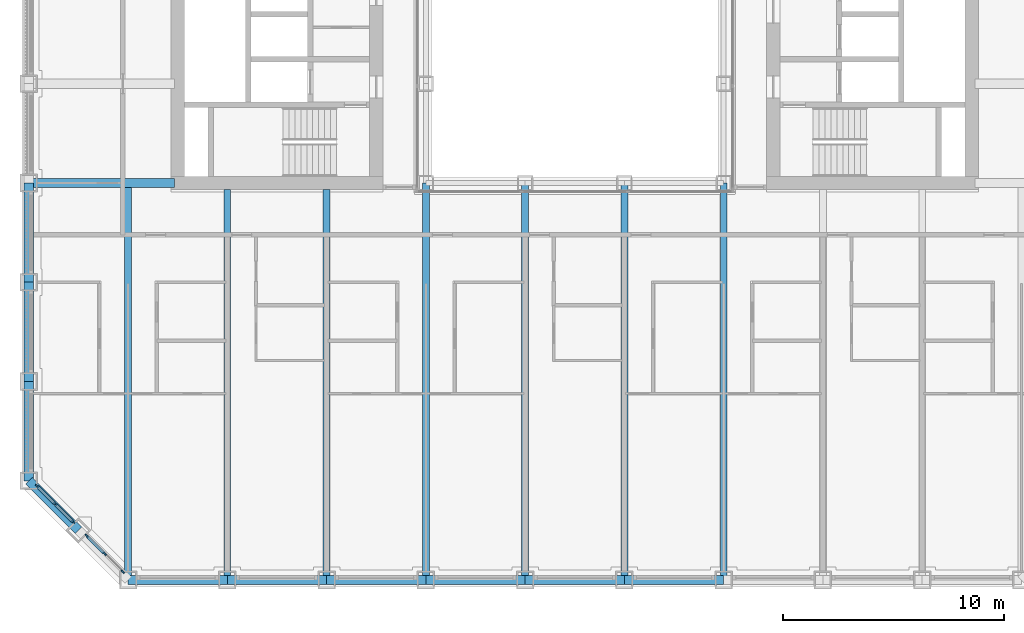
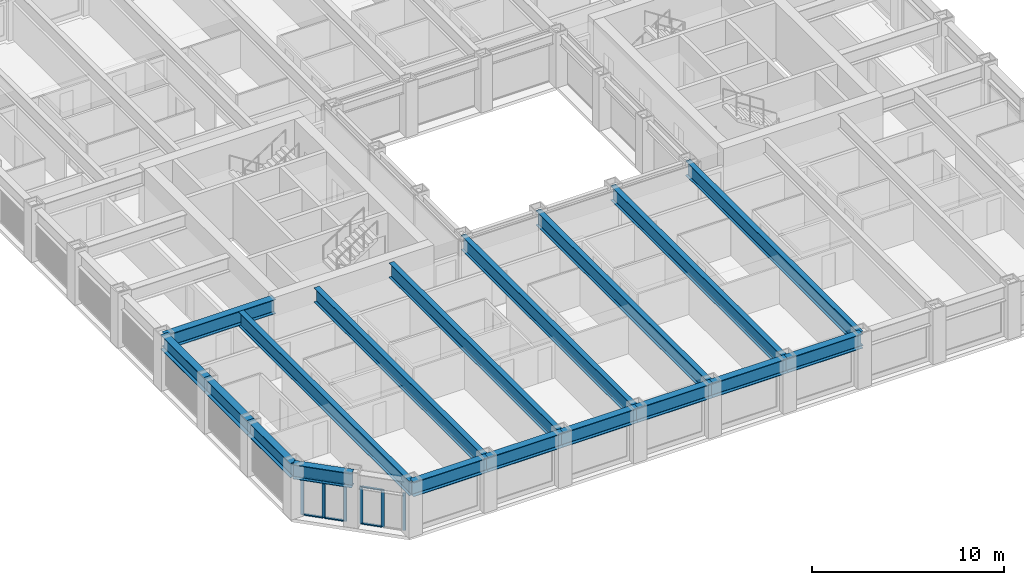
# One storey, part 2 of 21: 18 beams, 12 members, 2 elements without a shape of their own.
"""IFC4 building model written with IfcOpenShell, lengths in metres."""

from ifc_helpers import new_model, si_unit, direction, frame, origin, origin_2d, place, context, subcontext, project, spatial, rectangle, i_section, extrude, material, material_profile, profile_set, type_object, element, aggregate, save


model = new_model("IFC4")

# Units and contexts
model_context = context("Model", 3, precision=1e-05, world=origin(), true_north=direction((0.0, 1.0)))
body_context = subcontext(model_context, "Body", "Model", "MODEL_VIEW")
ifc_project = project(units=[si_unit("LENGTHUNIT", "METRE"), si_unit("AREAUNIT", "SQUARE_METRE"), si_unit("VOLUMEUNIT", "CUBIC_METRE"), si_unit("PLANEANGLEUNIT", "RADIAN"), si_unit("MASSUNIT", "GRAM", prefix="KILO")], contexts=[model_context])

# Site, building, storey
site_placement = place(None, origin())
site = spatial("IfcSite", under=ifc_project, at=site_placement, CompositionType="ELEMENT")
building_placement = place(site_placement, origin())
building = spatial("IfcBuilding", under=site, at=building_placement, Name="Msasa Ring Tower", CompositionType="ELEMENT")
storey_placement = place(building_placement, frame((0.0, 0.0, 40.5)))
storey = spatial("IfcBuildingStorey", under=building, at=storey_placement, Name="L09", CompositionType="ELEMENT", Elevation=40.5)

# Curtain wall, members
ifc_material_1 = material(Name="Aluminium curtain wall with clear glass", Category="aluminium")
curtain_wall_type = type_object("IfcCurtainWallType", Name="CW-C CHAMFER CORNER CURTAIN WALL", PredefinedType="NOTDEFINED", material=ifc_material_1)
curtain_wall_1_placement = place(storey_placement, origin())
curtain_wall_1 = element("IfcCurtainWall", 1, at=curtain_wall_1_placement, inside=storey, type_object=curtain_wall_type, Name="Chamfer corner curtain wall SW L09", PredefinedType="NOTDEFINED")
ifc_material_2 = material(Name="Aluminium mullion", Category="aluminium")
ifc_material_profile_1 = material_profile(ifc_material_2, rectangle(XDim=0.06494140625, YDim=0.179931640625, at=origin_2d()), Name="AL 65x180")
ifc_profile_set_1 = profile_set([ifc_material_profile_1], Name="Aluminium mullion")
member_type_1 = type_object("IfcMemberType", Name="CW-C MULLION 65x180", PredefinedType="MULLION", material=ifc_profile_set_1)
member_1_placement = place(storey_placement, frame((-24.369873046875, -20.48876953125, 0.0), z_axis=(0.0, 0.0, 1.0), x_axis=(0.707106781187, 0.707106781187, 0.0)))
member_1 = element("IfcMember", 2, at=member_1_placement, type_object=member_type_1, Name="CW-C mullion 1", PredefinedType="MULLION", context=body_context, shape_type="SweptSolid", body=[
    extrude(rectangle(XDim=0.06494140625, YDim=0.179931640625, at=origin_2d()), origin(), (0.0, 0.0, 1.0), 2.37890625),
])
member_2_placement = place(storey_placement, frame((-23.55419921875, -21.30419921875, 0.0), z_axis=(0.0, 0.0, 1.0), x_axis=(0.707106781187, 0.707106781187, 0.0)))
member_2 = element("IfcMember", 3, at=member_2_placement, type_object=member_type_1, Name="CW-C mullion 2", PredefinedType="MULLION", context=body_context, shape_type="SweptSolid", body=[
    extrude(rectangle(XDim=0.06494140625, YDim=0.179931640625, at=origin_2d()), origin(), (0.0, 0.0, 1.0), 2.37890625),
])
member_3_placement = place(storey_placement, frame((-22.73876953125, -22.119873046875, 0.0), z_axis=(0.0, 0.0, 1.0), x_axis=(0.707106781187, 0.707106781187, 0.0)))
member_3 = element("IfcMember", 4, at=member_3_placement, type_object=member_type_1, Name="CW-C mullion 3", PredefinedType="MULLION", context=body_context, shape_type="SweptSolid", body=[
    extrude(rectangle(XDim=0.06494140625, YDim=0.179931640625, at=origin_2d()), origin(), (0.0, 0.0, 1.0), 2.37890625),
])

curtain_wall_2_placement = place(storey_placement, origin())
curtain_wall_2 = element("IfcCurtainWall", 5, at=curtain_wall_2_placement, inside=storey, type_object=curtain_wall_type, Name="Chamfer corner curtain wall SW L09", PredefinedType="NOTDEFINED")
member_4_placement = place(storey_placement, frame((-22.119873046875, -22.73876953125, 0.0), z_axis=(0.0, 0.0, 1.0), x_axis=(0.707106781187, 0.707106781187, 0.0)))
member_4 = element("IfcMember", 6, at=member_4_placement, type_object=member_type_1, Name="CW-C mullion 1", PredefinedType="MULLION", context=body_context, shape_type="SweptSolid", body=[
    extrude(rectangle(XDim=0.06494140625, YDim=0.179931640625, at=origin_2d()), origin(), (0.0, 0.0, 1.0), 2.37890625),
])
member_5_placement = place(storey_placement, frame((-21.30419921875, -23.55419921875, 0.0), z_axis=(0.0, 0.0, 1.0), x_axis=(0.707106781187, 0.707106781187, 0.0)))
member_5 = element("IfcMember", 7, at=member_5_placement, type_object=member_type_1, Name="CW-C mullion 2", PredefinedType="MULLION", context=body_context, shape_type="SweptSolid", body=[
    extrude(rectangle(XDim=0.06494140625, YDim=0.179931640625, at=origin_2d()), origin(), (0.0, 0.0, 1.0), 2.37890625),
])
member_6_placement = place(storey_placement, frame((-20.48876953125, -24.369873046875, 0.0), z_axis=(0.0, 0.0, 1.0), x_axis=(0.707106781187, 0.707106781187, 0.0)))
member_6 = element("IfcMember", 8, at=member_6_placement, type_object=member_type_1, Name="CW-C mullion 3", PredefinedType="MULLION", context=body_context, shape_type="SweptSolid", body=[
    extrude(rectangle(XDim=0.06494140625, YDim=0.179931640625, at=origin_2d()), origin(), (0.0, 0.0, 1.0), 2.37890625),
])

# Member
ifc_material_3 = material(Name="Aluminium transom", Category="aluminium")
ifc_material_profile_2 = material_profile(ifc_material_3, rectangle(XDim=0.139892578125, YDim=0.06494140625, at=origin_2d()), Name="AL 65x140")
ifc_profile_set_2 = profile_set([ifc_material_profile_2], Name="Aluminium transom")
member_type_2 = type_object("IfcMemberType", Name="CW-C TRANSOM 65x140", PredefinedType="USERDEFINED", material=ifc_profile_set_2)
member_7_placement = place(storey_placement, frame((-24.346923828125, -20.51171875, 0.032470703125), z_axis=(0.707106781187, -0.707106781187, 0.0), x_axis=(0.707106781187, 0.707106781187, 0.0)))
member_7 = element("IfcMember", 9, at=member_7_placement, type_object=member_type_2, Name="CW-C transom 1.1", ObjectType="TRANSOM", PredefinedType="USERDEFINED", context=body_context, shape_type="SweptSolid", body=[
    extrude(rectangle(XDim=0.139892578125, YDim=0.06494140625, at=origin_2d()), origin(), (0.0, 0.0, 1.0), 1.08837890625),
])

member_8_placement = place(storey_placement, frame((-24.346923828125, -20.51171875, 2.346435546875), z_axis=(0.707106781187, -0.707106781187, 0.0), x_axis=(0.707106781187, 0.707106781187, 0.0)))
member_8 = element("IfcMember", 10, at=member_8_placement, type_object=member_type_2, Name="CW-C transom 1.2", ObjectType="TRANSOM", PredefinedType="USERDEFINED", context=body_context, shape_type="SweptSolid", body=[
    extrude(rectangle(XDim=0.139892578125, YDim=0.06494140625, at=origin_2d()), origin(), (0.0, 0.0, 1.0), 1.08837890625),
])

member_9_placement = place(storey_placement, frame((-23.53125, -21.327392578125, 0.032470703125), z_axis=(0.707106781187, -0.707106781187, 0.0), x_axis=(0.707106781187, 0.707106781187, 0.0)))
member_9 = element("IfcMember", 11, at=member_9_placement, type_object=member_type_2, Name="CW-C transom 2.1", ObjectType="TRANSOM", PredefinedType="USERDEFINED", context=body_context, shape_type="SweptSolid", body=[
    extrude(rectangle(XDim=0.139892578125, YDim=0.06494140625, at=origin_2d()), origin(), (0.0, 0.0, 1.0), 1.08837890625),
])

member_10_placement = place(storey_placement, frame((-23.53125, -21.327392578125, 2.346435546875), z_axis=(0.707106781187, -0.707106781187, 0.0), x_axis=(0.707106781187, 0.707106781187, 0.0)))
member_10 = element("IfcMember", 12, at=member_10_placement, type_object=member_type_2, Name="CW-C transom 2.2", ObjectType="TRANSOM", PredefinedType="USERDEFINED", context=body_context, shape_type="SweptSolid", body=[
    extrude(rectangle(XDim=0.139892578125, YDim=0.06494140625, at=origin_2d()), origin(), (0.0, 0.0, 1.0), 1.08837890625),
])

aggregate(curtain_wall_1, [member_1, member_2, member_3, member_7, member_8, member_9, member_10])

member_11_placement = place(storey_placement, frame((-22.096923828125, -22.76171875, 0.032470703125), z_axis=(0.707106781187, -0.707106781187, 0.0), x_axis=(0.707106781187, 0.707106781187, 0.0)))
member_11 = element("IfcMember", 13, at=member_11_placement, type_object=member_type_2, Name="CW-C transom 1.1", ObjectType="TRANSOM", PredefinedType="USERDEFINED", context=body_context, shape_type="SweptSolid", body=[
    extrude(rectangle(XDim=0.139892578125, YDim=0.06494140625, at=origin_2d()), origin(), (0.0, 0.0, 1.0), 1.08837890625),
])

member_12_placement = place(storey_placement, frame((-22.096923828125, -22.76171875, 2.346435546875), z_axis=(0.707106781187, -0.707106781187, 0.0), x_axis=(0.707106781187, 0.707106781187, 0.0)))
member_12 = element("IfcMember", 14, at=member_12_placement, type_object=member_type_2, Name="CW-C transom 1.2", ObjectType="TRANSOM", PredefinedType="USERDEFINED", context=body_context, shape_type="SweptSolid", body=[
    extrude(rectangle(XDim=0.139892578125, YDim=0.06494140625, at=origin_2d()), origin(), (0.0, 0.0, 1.0), 1.08837890625),
])

aggregate(curtain_wall_2, [member_4, member_5, member_6, member_11, member_12])

# Beams
ifc_material_4 = material(Name="Steel S355", Category="steel")
ifc_material_profile_3 = material_profile(ifc_material_4, i_section(OverallWidth=0.3076171875, OverallDepth=0.926513671875, WebThickness=0.01953125, FlangeThickness=0.031982421875, FilletRadius=0.01904296875, at=origin_2d()), Name="UB 914x305x289")
ifc_profile_set_3 = profile_set([ifc_material_profile_3], Name="Steel S355")
beam_type_1 = type_object("IfcBeamType", Name="FB3 UB 914x305x289", PredefinedType="BEAM", material=ifc_profile_set_3)
beam_1_placement = place(storey_placement, frame((-20.25, -24.75, 2.836669921875), z_axis=(0.0, 1.0, 0.0), x_axis=(-1.0, 0.0, 0.0)))
element("IfcBeam", 15, at=beam_1_placement, inside=storey, type_object=beam_type_1, Name="Floor beam S-20.25 under L10", PredefinedType="BEAM", context=body_context, shape_type="SweptSolid", body=[
    extrude(i_section(OverallWidth=0.3076171875, OverallDepth=0.926513671875, WebThickness=0.01953125, FlangeThickness=0.031982421875, FilletRadius=0.01904296875, at=origin_2d()), origin(), (0.0, 0.0, 1.0), 17.789794921875),
])
for number, where, z_axis, x_axis, name in (
    (16, (-15.75, -24.75, 2.836669921875), (0.0, 1.0, 0.0), (-1.0, 0.0, 0.0), "Floor beam S-15.75 under L10"),
    (17, (-11.25, -24.75, 2.836669921875), (0.0, 1.0, 0.0), (-1.0, 0.0, 0.0), "Floor beam S-11.25 under L10"),
):
    element("IfcBeam", number, at=place(storey_placement, frame(where, z_axis=z_axis, x_axis=x_axis)), inside=storey, type_object=beam_type_1, Name=name, PredefinedType="BEAM", context=body_context, shape_type="SweptSolid", body=[
        extrude(i_section(OverallWidth=0.3076171875, OverallDepth=0.926513671875, WebThickness=0.01953125, FlangeThickness=0.031982421875, FilletRadius=0.01904296875, at=origin_2d()), origin(), (0.0, 0.0, 1.0), 17.699951171875),
    ])
for number, where, z_axis, x_axis, name in (
    (18, (-6.75, -24.75, 2.836669921875), (0.0, 1.0, 0.0), (-1.0, 0.0, 0.0), "Floor beam S-6.75 under L10"),
    (19, (-2.25, -24.75, 2.836669921875), (0.0, 1.0, 0.0), (-1.0, 0.0, 0.0), "Floor beam S-2.25 under L10"),
    (20, (2.25, -24.75, 2.836669921875), (0.0, 1.0, 0.0), (-1.0, 0.0, 0.0), "Floor beam S+2.25 under L10"),
    (21, (6.75, -24.75, 2.836669921875), (0.0, 1.0, 0.0), (-1.0, 0.0, 0.0), "Floor beam S+6.75 under L10"),
):
    element("IfcBeam", number, at=place(storey_placement, frame(where, z_axis=z_axis, x_axis=x_axis)), inside=storey, type_object=beam_type_1, Name=name, PredefinedType="BEAM", context=body_context, shape_type="SweptSolid", body=[
        extrude(i_section(OverallWidth=0.3076171875, OverallDepth=0.926513671875, WebThickness=0.01953125, FlangeThickness=0.031982421875, FilletRadius=0.01904296875, at=origin_2d()), origin(), (0.0, 0.0, 1.0), 18.0),
    ])
ifc_material_5 = material(Name="Steel S355", Category="steel")
ifc_material_profile_4 = material_profile(ifc_material_5, i_section(OverallWidth=0.42041015625, OverallDepth=0.9208984375, WebThickness=0.021484375, FlangeThickness=0.03662109375, FilletRadius=0.024169921875, at=origin_2d()), Name="UB 914x419x388")
ifc_profile_set_4 = profile_set([ifc_material_profile_4], Name="Steel S355")
beam_type_2 = type_object("IfcBeamType", Name="GB1 UB 914x419x388", PredefinedType="BEAM", material=ifc_profile_set_4)
beam_2_placement = place(storey_placement, frame((-18.14990234375, -6.75, 2.839599609375), z_axis=(-1.0, 0.0, 0.0), x_axis=(0.0, -1.0, 0.0)))
element("IfcBeam", 22, at=beam_2_placement, inside=storey, type_object=beam_type_2, Name="Girder W -6.75 under L10", PredefinedType="BEAM", context=body_context, shape_type="SweptSolid", body=[
    extrude(i_section(OverallWidth=0.42041015625, OverallDepth=0.9208984375, WebThickness=0.021484375, FlangeThickness=0.03662109375, FilletRadius=0.024169921875, at=origin_2d()), origin(), (0.0, 0.0, 1.0), 6.60009765625),
])
ifc_material_6 = material(Name="Steel S355", Category="steel")
ifc_material_profile_5 = material_profile(ifc_material_6, i_section(OverallWidth=0.42041015625, OverallDepth=0.9208984375, WebThickness=0.021484375, FlangeThickness=0.03662109375, FilletRadius=0.024169921875, at=origin_2d()), Name="UB 914x419x388")
ifc_profile_set_5 = profile_set([ifc_material_profile_5], Name="Steel S355")
beam_type_3 = type_object("IfcBeamType", Name="SB1 UB 914x419x388", PredefinedType="SPANDREL", material=ifc_profile_set_5)
for number, where, z_axis, x_axis, name in (
    (23, (-24.75, -6.75, 2.839599609375), (0.0, -1.0, 0.0), (1.0, 0.0, 0.0), "Spandrel W-6.75 to W-11.25 under L10"),
    (24, (-24.75, -11.25, 2.839599609375), (0.0, -1.0, 0.0), (1.0, 0.0, 0.0), "Spandrel W-11.25 to W-15.75 under L10"),
    (25, (-24.75, -15.75, 2.839599609375), (0.0, -1.0, 0.0), (1.0, 0.0, 0.0), "Spandrel W-15.75 to W-20.25 under L10"),
):
    element("IfcBeam", number, at=place(storey_placement, frame(where, z_axis=z_axis, x_axis=x_axis)), inside=storey, type_object=beam_type_3, Name=name, PredefinedType="SPANDREL", context=body_context, shape_type="SweptSolid", body=[
        extrude(i_section(OverallWidth=0.42041015625, OverallDepth=0.9208984375, WebThickness=0.021484375, FlangeThickness=0.03662109375, FilletRadius=0.024169921875, at=origin_2d()), origin(), (0.0, 0.0, 1.0), 4.5),
    ])
beam_3_placement = place(storey_placement, frame((-24.75, -20.25, 2.839599609375), z_axis=(0.707106781187, -0.707106781187, 0.0), x_axis=(0.707106781187, 0.707106781187, 0.0)))
element("IfcBeam", 26, at=beam_3_placement, inside=storey, type_object=beam_type_3, Name="Spandrel W-20.25 to SW under L10", PredefinedType="SPANDREL", context=body_context, shape_type="SweptSolid", body=[
    extrude(i_section(OverallWidth=0.42041015625, OverallDepth=0.9208984375, WebThickness=0.021484375, FlangeThickness=0.03662109375, FilletRadius=0.024169921875, at=origin_2d()), origin(), (0.0, 0.0, 1.0), 3.181884765625),
])
for number, where, z_axis, x_axis, name in (
    (27, (-20.25, -24.75, 2.839599609375), (1.0, 0.0, 0.0), (0.0, 1.0, 0.0), "Spandrel S-20.25 to S-15.75 under L10"),
    (28, (-15.75, -24.75, 2.839599609375), (1.0, 0.0, 0.0), (0.0, 1.0, 0.0), "Spandrel S-15.75 to S-11.25 under L10"),
    (29, (-11.25, -24.75, 2.839599609375), (1.0, 0.0, 0.0), (0.0, 1.0, 0.0), "Spandrel S-11.25 to S-6.75 under L10"),
    (30, (-6.75, -24.75, 2.839599609375), (1.0, 0.0, 0.0), (0.0, 1.0, 0.0), "Spandrel S-6.75 to S-2.25 under L10"),
    (31, (-2.25, -24.75, 2.839599609375), (1.0, 0.0, 0.0), (0.0, 1.0, 0.0), "Spandrel S-2.25 to S+2.25 under L10"),
    (32, (2.25, -24.75, 2.839599609375), (1.0, 0.0, 0.0), (0.0, 1.0, 0.0), "Spandrel S+2.25 to S+6.75 under L10"),
):
    element("IfcBeam", number, at=place(storey_placement, frame(where, z_axis=z_axis, x_axis=x_axis)), inside=storey, type_object=beam_type_3, Name=name, PredefinedType="SPANDREL", context=body_context, shape_type="SweptSolid", body=[
        extrude(i_section(OverallWidth=0.42041015625, OverallDepth=0.9208984375, WebThickness=0.021484375, FlangeThickness=0.03662109375, FilletRadius=0.024169921875, at=origin_2d()), origin(), (0.0, 0.0, 1.0), 4.5),
    ])

save(model, "model.ifc")
